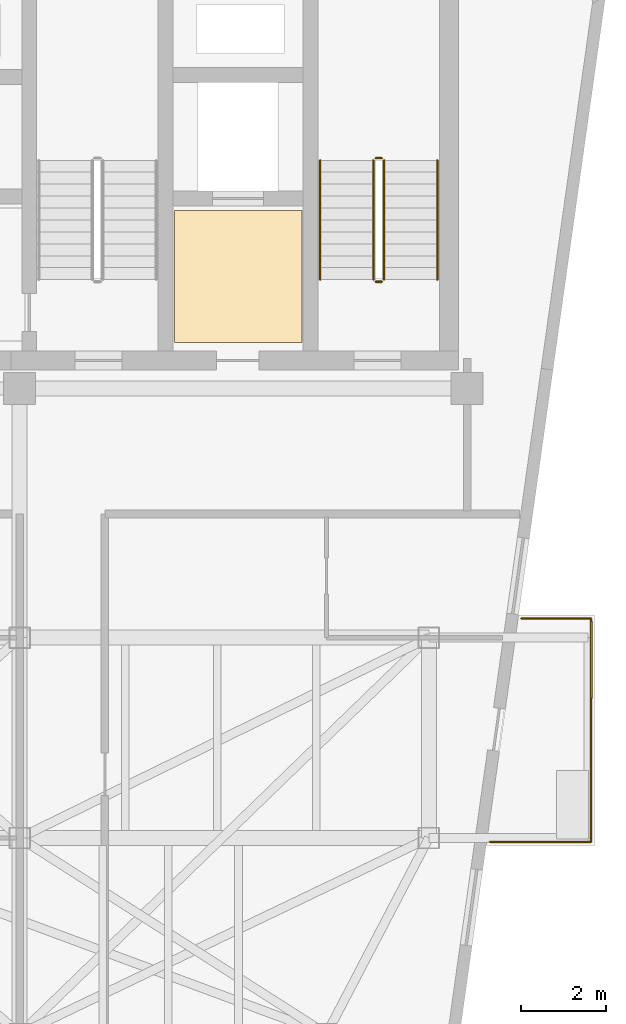
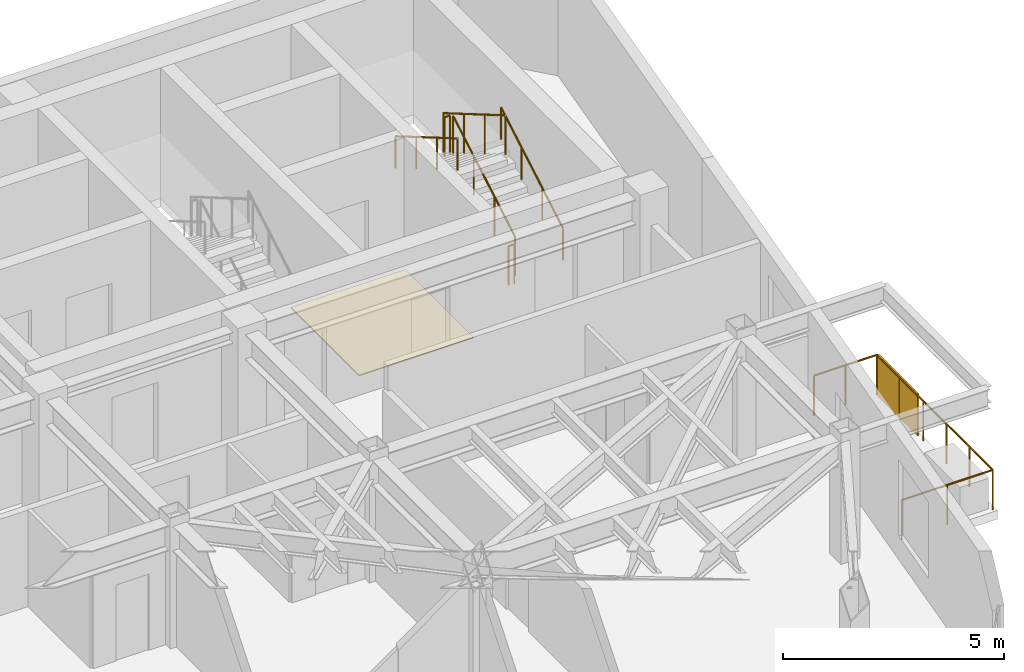
# One storey, part 19 of 19: 9 railings, 1 covering, 1 shading device.
"""IFC4 building model written with IfcOpenShell, lengths in metres."""

from ifc_helpers import new_model, si_unit, direction, frame, origin, origin_2d, place, context, subcontext, project, spatial, polyline, rectangle, circle, outline, extrude, material, layer, layer_set, type_object, element, save


model = new_model("IFC4")

# Units and contexts
model_context = context("Model", 3, precision=1e-05, world=origin(), true_north=direction((0.0, 1.0)))
body_context = subcontext(model_context, "Body", "Model", "MODEL_VIEW")
ifc_project = project(units=[si_unit("LENGTHUNIT", "METRE"), si_unit("AREAUNIT", "SQUARE_METRE"), si_unit("VOLUMEUNIT", "CUBIC_METRE"), si_unit("PLANEANGLEUNIT", "RADIAN"), si_unit("MASSUNIT", "GRAM", prefix="KILO")], contexts=[model_context])

# Site, building, storey
site_placement = place(None, origin())
site = spatial("IfcSite", under=ifc_project, at=site_placement, CompositionType="ELEMENT")
building_placement = place(site_placement, origin())
building = spatial("IfcBuilding", under=site, at=building_placement, Name="Kravanh Interchange Tower", CompositionType="ELEMENT")
storey_placement = place(building_placement, frame((0.0, 0.0, 270.60009765625)))
storey = spatial("IfcBuildingStorey", under=building, at=storey_placement, Name="L66", CompositionType="ELEMENT", Elevation=270.60009765625)

# Covering
ifc_material_1 = material(Name="Cementitious Terrazzo Tile")
ifc_layer_1 = layer(ifc_material_1, 0.030029296875)
ifc_layer_set_1 = layer_set([ifc_layer_1], Name="Honed Terrazzo Lobby Flooring 30mm")
covering_type = type_object("IfcCoveringType", Name="Honed Terrazzo Lobby Flooring 30mm", PredefinedType="FLOORING", material=ifc_layer_set_1)
covering_placement = place(storey_placement, origin())
element("IfcCovering", 1, at=covering_placement, inside=storey, type_object=covering_type, Name="L66 Service Lift Lobby Floor Finish", PredefinedType="FLOORING", context=body_context, shape_type="SweptSolid", body=[
    extrude(outline(polyline([(59.6298828125, 41.52001953125), (62.6201171875, 41.52001953125), (62.6201171875, 38.429931640625), (59.6298828125, 38.429931640625), (59.6298828125, 41.52001953125)])), origin(), (0.0, 0.0, 1.0), 0.02978515625),
])

# Shading device
ifc_material_2 = material(Name="Perforated Anodised Bronze Aluminium", Category="aluminium")
ifc_layer_2 = layer(ifc_material_2, 0.0400390625)
ifc_layer_set_2 = layer_set([ifc_layer_2], Name="Perforated Bronze Balcony Privacy Screen 1150mm")
shading_device_type = type_object("IfcShadingDeviceType", Name="Perforated Bronze Balcony Privacy Screen 1150mm", PredefinedType="USERDEFINED", material=ifc_layer_set_2)
shading_device_placement = place(storey_placement, frame((69.409912109375, 30.97998046875, 0.0), z_axis=(0.0, 0.0, 1.0), x_axis=(1.0, 0.0, 0.0)))
element("IfcShadingDevice", 2, at=shading_device_placement, inside=storey, type_object=shading_device_type, Name="L66 E Perforated Bronze BALCONY SCREEN", ObjectType="SCREEN", PredefinedType="USERDEFINED", context=body_context, shape_type="SweptSolid", body=[
    extrude(rectangle(XDim=0.0400390625, YDim=1.800048828125, at=origin_2d()), origin(), (0.0, 0.0, 1.0), 1.14990234375),
])

# Railings
ifc_material_3 = material(Name="Stainless Steel 316", Category="steel")
ifc_layer_3 = layer(ifc_material_3, 0.06005859375)
ifc_layer_set_3 = layer_set([ifc_layer_3], Name="Perimeter Balcony and Terrace Guardrail Stainless 316 1120mm")
railing_type_1 = type_object("IfcRailingType", Name="Perimeter Balcony and Terrace Guardrail Stainless 316 1120mm", PredefinedType="GUARDRAIL", material=ifc_layer_set_3)
railing_1_placement = place(storey_placement, frame((69.409912109375, 31.949951171875, 0.0)))
element("IfcRailing", 3, at=railing_1_placement, inside=storey, type_object=railing_type_1, Name="L66 E Balcony Guardrail 1", PredefinedType="GUARDRAIL", context=body_context, shape_type="SweptSolid", body=[
    extrude(circle(Radius=0.02392578125, at=origin_2d()), frame((0.0, 0.0, 1.09619140625), z_axis=(0.0, -1.0, 0.0), x_axis=(1.0, 0.0, 0.0)), (0.0, 0.0, 1.0), 5.239990234375),
    extrude(circle(Radius=0.02099609375, at=origin_2d()), origin(), (0.0, 0.0, 1.0), 1.072021484375),
    extrude(circle(Radius=0.02099609375, at=origin_2d()), frame((0.0, -1.048095703125, 0.0)), (0.0, 0.0, 1.0), 1.072021484375),
    extrude(circle(Radius=0.02099609375, at=origin_2d()), frame((0.0, -2.095947265625, 0.0)), (0.0, 0.0, 1.0), 1.072021484375),
    extrude(circle(Radius=0.02099609375, at=origin_2d()), frame((0.0, -3.14404296875, 0.0)), (0.0, 0.0, 1.0), 1.072021484375),
    extrude(circle(Radius=0.02099609375, at=origin_2d()), frame((0.0, -4.19189453125, 0.0)), (0.0, 0.0, 1.0), 1.072021484375),
    extrude(circle(Radius=0.02099609375, at=origin_2d()), frame((0.0, -5.239990234375, 0.0)), (0.0, 0.0, 1.0), 1.072021484375),
])
railing_2_placement = place(storey_placement, frame((69.409912109375, 26.7099609375, 0.0)))
element("IfcRailing", 4, at=railing_2_placement, inside=storey, type_object=railing_type_1, Name="L66 E Balcony Guardrail 2", PredefinedType="GUARDRAIL", context=body_context, shape_type="SweptSolid", body=[
    extrude(circle(Radius=0.02392578125, at=origin_2d()), frame((0.0, 0.0, 1.09619140625), z_axis=(-1.0, 0.0, 0.0), x_axis=(0.0, -1.0, 0.0)), (0.0, 0.0, 1.0), 2.376220703125),
    extrude(circle(Radius=0.02099609375, at=origin_2d()), origin(), (0.0, 0.0, 1.0), 1.072021484375),
    extrude(circle(Radius=0.02099609375, at=origin_2d()), frame((-1.18798828125, 0.0, 0.0)), (0.0, 0.0, 1.0), 1.072021484375),
    extrude(circle(Radius=0.02099609375, at=origin_2d()), frame((-2.376220703125, 0.0, 0.0)), (0.0, 0.0, 1.0), 1.072021484375),
])
railing_3_placement = place(storey_placement, frame((67.77001953125, 31.949951171875, 0.0)))
element("IfcRailing", 5, at=railing_3_placement, inside=storey, type_object=railing_type_1, Name="L66 E Balcony Guardrail 3", PredefinedType="GUARDRAIL", context=body_context, shape_type="SweptSolid", body=[
    extrude(circle(Radius=0.02392578125, at=origin_2d()), frame((0.0, 0.0, 1.09619140625), z_axis=(1.0, 0.0, 0.0), x_axis=(0.0, 1.0, 0.0)), (0.0, 0.0, 1.0), 1.639892578125),
    extrude(circle(Radius=0.02099609375, at=origin_2d()), origin(), (0.0, 0.0, 1.0), 1.072021484375),
    extrude(circle(Radius=0.02099609375, at=origin_2d()), frame((0.81982421875, 0.0, 0.0)), (0.0, 0.0, 1.0), 1.072021484375),
    extrude(circle(Radius=0.02099609375, at=origin_2d()), frame((1.639892578125, 0.0, 0.0)), (0.0, 0.0, 1.0), 1.072021484375),
])
ifc_material_4 = material(Name="Structural Steel S355", Category="steel")
ifc_layer_4 = layer(ifc_material_4, 0.050048828125)
ifc_layer_set_4 = layer_set([ifc_layer_4], Name="Stair Well Guardrail Structural Steel S355 1100mm")
railing_type_2 = type_object("IfcRailingType", Name="Stair Well Guardrail Structural Steel S355 1100mm", PredefinedType="GUARDRAIL", material=ifc_layer_set_4)
railing_4_placement = place(storey_placement, frame((64.550048828125, 39.89990234375, 0.16357421875)))
element("IfcRailing", 6, at=railing_4_placement, inside=storey, type_object=railing_type_2, Name="L66 ST1 stair guard 1", PredefinedType="GUARDRAIL", context=body_context, shape_type="SweptSolid", body=[
    extrude(circle(Radius=0.02392578125, at=origin_2d()), frame((0.0, 0.0, 1.076171875), z_axis=(0.0, 0.863393664356, 0.504530851732), x_axis=(-1.0, 0.0, 0.0)), (0.0, 0.0, 1.0), 3.2431640625),
    extrude(circle(Radius=0.02099609375, at=origin_2d()), origin(), (0.0, 0.0, 1.0), 1.052001953125),
    extrude(circle(Radius=0.02099609375, at=origin_2d()), frame((0.0, 0.933349609375, 0.54541015625)), (0.0, 0.0, 1.0), 1.052001953125),
    extrude(circle(Radius=0.02099609375, at=origin_2d()), frame((0.0, 1.86669921875, 1.0908203125)), (0.0, 0.0, 1.0), 1.052001953125),
    extrude(circle(Radius=0.02099609375, at=origin_2d()), frame((0.0, 2.800048828125, 1.63623046875)), (0.0, 0.0, 1.0), 1.052001953125),
])
railing_5_placement = place(storey_placement, frame((64.5, 42.75, 1.7998046875)))
element("IfcRailing", 7, at=railing_5_placement, inside=storey, type_object=railing_type_2, Name="L66 ST1 stair guard 2", PredefinedType="GUARDRAIL", context=body_context, shape_type="SweptSolid", body=[
    extrude(circle(Radius=0.02392578125, at=origin_2d()), frame((0.0, 0.0, 1.076171875), z_axis=(-1.0, 0.0, 0.0), x_axis=(0.0, -1.0, 0.0)), (0.0, 0.0, 1.0), 0.14990234375),
    extrude(circle(Radius=0.02099609375, at=origin_2d()), origin(), (0.0, 0.0, 1.0), 1.052001953125),
    extrude(circle(Radius=0.02099609375, at=origin_2d()), frame((-0.14990234375, 0.0, 0.0)), (0.0, 0.0, 1.0), 1.052001953125),
])
railing_6_placement = place(storey_placement, frame((64.300048828125, 42.699951171875, 1.963623046875)))
element("IfcRailing", 8, at=railing_6_placement, inside=storey, type_object=railing_type_2, Name="L66 ST1 stair guard 3", PredefinedType="GUARDRAIL", context=body_context, shape_type="SweptSolid", body=[
    extrude(circle(Radius=0.02392578125, at=origin_2d()), frame((0.0, 0.0, 1.076171875), z_axis=(0.0, -0.863393664356, 0.504530851732), x_axis=(1.0, 0.0, 0.0)), (0.0, 0.0, 1.0), 3.2431640625),
    extrude(circle(Radius=0.02099609375, at=origin_2d()), origin(), (0.0, 0.0, 1.0), 1.052001953125),
    extrude(circle(Radius=0.02099609375, at=origin_2d()), frame((0.0, -0.933349609375, 0.54541015625)), (0.0, 0.0, 1.0), 1.052001953125),
    extrude(circle(Radius=0.02099609375, at=origin_2d()), frame((0.0, -1.86669921875, 1.0908203125)), (0.0, 0.0, 1.0), 1.052001953125),
    extrude(circle(Radius=0.02099609375, at=origin_2d()), frame((0.0, -2.800048828125, 1.63623046875)), (0.0, 0.0, 1.0), 1.052001953125),
])
railing_7_placement = place(storey_placement, frame((64.5, 39.85009765625, 0.0)))
element("IfcRailing", 9, at=railing_7_placement, inside=storey, type_object=railing_type_2, Name="L66 ST1 stair guard 4", PredefinedType="GUARDRAIL", context=body_context, shape_type="SweptSolid", body=[
    extrude(circle(Radius=0.02392578125, at=origin_2d()), frame((0.0, 0.0, 1.076171875), z_axis=(-1.0, 0.0, 0.0), x_axis=(0.0, -1.0, 0.0)), (0.0, 0.0, 1.0), 0.14990234375),
    extrude(circle(Radius=0.02099609375, at=origin_2d()), origin(), (0.0, 0.0, 1.0), 1.052001953125),
    extrude(circle(Radius=0.02099609375, at=origin_2d()), frame((-0.14990234375, 0.0, 0.0)), (0.0, 0.0, 1.0), 1.052001953125),
])
ifc_material_5 = material(Name="Stainless Steel 304", Category="steel")
ifc_layer_5 = layer(ifc_material_5, 0.044921875)
ifc_layer_set_5 = layer_set([ifc_layer_5], Name="Tubular Stair Handrail Stainless 304 900mm")
railing_type_3 = type_object("IfcRailingType", Name="Tubular Stair Handrail Stainless 304 900mm", PredefinedType="HANDRAIL", material=ifc_layer_set_5)
railing_8_placement = place(storey_placement, frame((65.800048828125, 39.89990234375, 0.16357421875)))
element("IfcRailing", 10, at=railing_8_placement, inside=storey, type_object=railing_type_3, Name="L66 ST1 stair handrail 1", PredefinedType="HANDRAIL", context=body_context, shape_type="SweptSolid", body=[
    extrude(circle(Radius=0.02392578125, at=origin_2d()), frame((0.0, 0.0, 0.8759765625), z_axis=(0.0, 0.863393664356, 0.504530851732), x_axis=(-1.0, 0.0, 0.0)), (0.0, 0.0, 1.0), 3.2431640625),
    extrude(circle(Radius=0.02099609375, at=origin_2d()), origin(), (0.0, 0.0, 1.0), 0.851806640625),
    extrude(circle(Radius=0.02099609375, at=origin_2d()), frame((0.0, 0.933349609375, 0.54541015625)), (0.0, 0.0, 1.0), 0.851806640625),
    extrude(circle(Radius=0.02099609375, at=origin_2d()), frame((0.0, 1.86669921875, 1.0908203125)), (0.0, 0.0, 1.0), 0.851806640625),
    extrude(circle(Radius=0.02099609375, at=origin_2d()), frame((0.0, 2.800048828125, 1.63623046875)), (0.0, 0.0, 1.0), 0.851806640625),
])
railing_9_placement = place(storey_placement, frame((63.050048828125, 42.699951171875, 1.963623046875)))
element("IfcRailing", 11, at=railing_9_placement, inside=storey, type_object=railing_type_3, Name="L66 ST1 stair handrail 2", PredefinedType="HANDRAIL", context=body_context, shape_type="SweptSolid", body=[
    extrude(circle(Radius=0.02392578125, at=origin_2d()), frame((0.0, 0.0, 0.8759765625), z_axis=(0.0, -0.863393664356, 0.504530851732), x_axis=(1.0, 0.0, 0.0)), (0.0, 0.0, 1.0), 3.2431640625),
    extrude(circle(Radius=0.02099609375, at=origin_2d()), origin(), (0.0, 0.0, 1.0), 0.851806640625),
    extrude(circle(Radius=0.02099609375, at=origin_2d()), frame((0.0, -0.933349609375, 0.54541015625)), (0.0, 0.0, 1.0), 0.851806640625),
    extrude(circle(Radius=0.02099609375, at=origin_2d()), frame((0.0, -1.86669921875, 1.0908203125)), (0.0, 0.0, 1.0), 0.851806640625),
    extrude(circle(Radius=0.02099609375, at=origin_2d()), frame((0.0, -2.800048828125, 1.63623046875)), (0.0, 0.0, 1.0), 0.851806640625),
])

save(model, "model.ifc")
